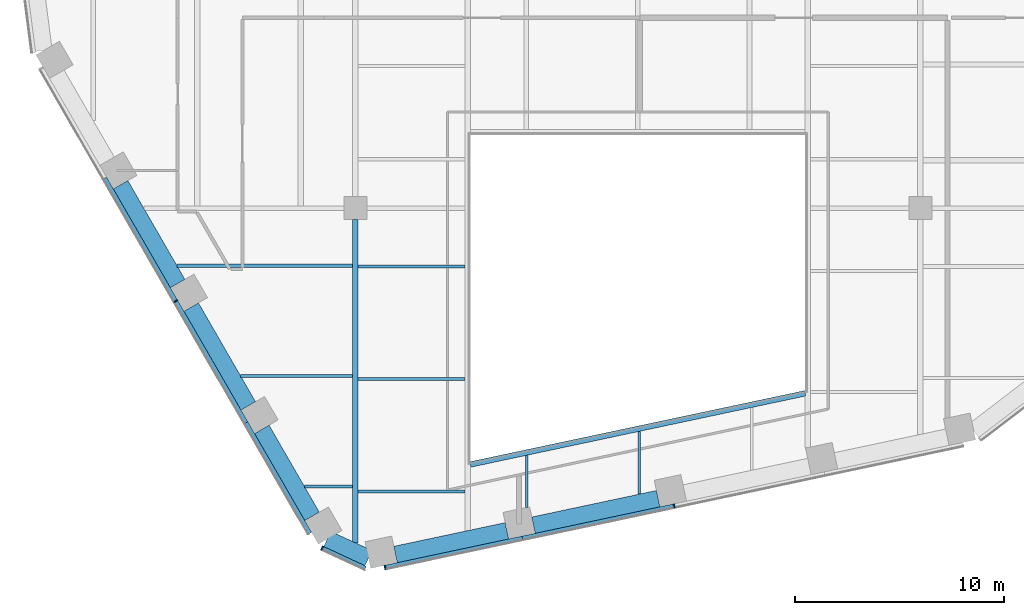
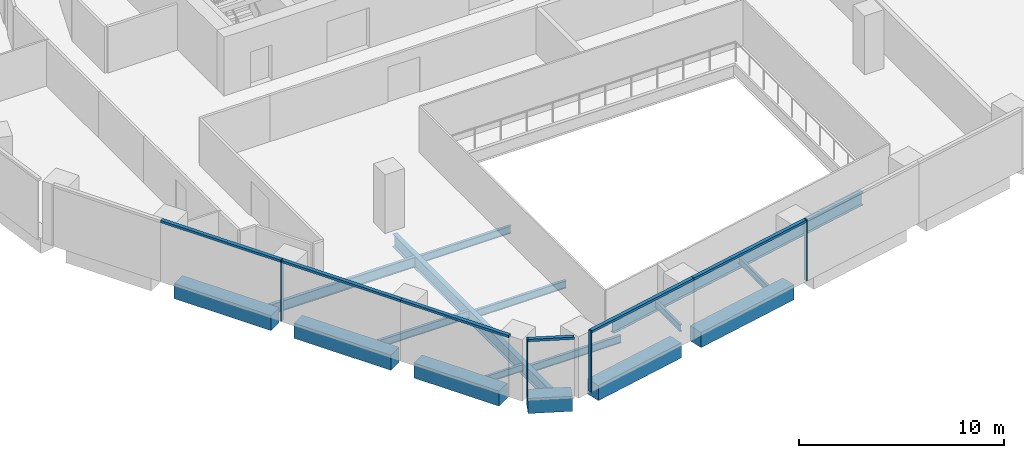
# One storey, part 2 of 16: 16 beams, 10 members, 3 elements without a shape of their own.
"""IFC4 building model written with IfcOpenShell, lengths in metres."""

from ifc_helpers import new_model, si_unit, direction, frame, origin, origin_2d, place, context, subcontext, project, spatial, rectangle, i_section, extrude, material, layer, layer_set, material_profile, profile_set, type_object, element, aggregate, save


model = new_model("IFC4")

# Units and contexts
model_context = context("Model", 3, precision=1e-05, world=origin(), true_north=direction((0.0, 1.0)))
body_context = subcontext(model_context, "Body", "Model", "MODEL_VIEW")
ifc_project = project(units=[si_unit("LENGTHUNIT", "METRE"), si_unit("AREAUNIT", "SQUARE_METRE"), si_unit("VOLUMEUNIT", "CUBIC_METRE"), si_unit("PLANEANGLEUNIT", "RADIAN"), si_unit("MASSUNIT", "GRAM", prefix="KILO")], contexts=[model_context])

# Site, building, storey
site_placement = place(None, origin())
site = spatial("IfcSite", under=ifc_project, at=site_placement, CompositionType="ELEMENT")
building_placement = place(site_placement, origin())
building = spatial("IfcBuilding", under=site, at=building_placement, Name="Isthmus Gate Tower", CompositionType="ELEMENT")
storey_placement = place(building_placement, frame((0.0, 0.0, 185.39990234375)))
storey = spatial("IfcBuildingStorey", under=building, at=storey_placement, Name="L46", CompositionType="ELEMENT", Elevation=185.39990234375)

# Curtain wall, member
ifc_material_1 = material(Name="Aluminium, pale champagne anodised", Category="aluminium")
ifc_layer = layer(ifc_material_1, 0.199951171875)
ifc_layer_set = layer_set([ifc_layer], Name="CW-1 UNITISED CURTAIN WALL 200 DEEP")
curtain_wall_type = type_object("IfcCurtainWallType", Name="CW-1 UNITISED CURTAIN WALL 200 DEEP", PredefinedType="NOTDEFINED", material=ifc_layer_set)
curtain_wall_1_placement = place(storey_placement, origin())
curtain_wall_1 = element("IfcCurtainWall", 1, at=curtain_wall_1_placement, inside=storey, type_object=curtain_wall_type, Name="CW-1 SW L46", PredefinedType="NOTDEFINED")
ifc_material_2 = material(Name="Aluminium, pale champagne anodised", Category="aluminium")
ifc_material_profile_1 = material_profile(ifc_material_2, rectangle(XDim=0.06005859375, YDim=0.199951171875, at=origin_2d()), Name="60x200")
ifc_profile_set_1 = profile_set([ifc_material_profile_1], Name="Aluminium, pale champagne anodised")
member_type_1 = type_object("IfcMemberType", Name="CW-1 MULLION 60 X 200", PredefinedType="MULLION", material=ifc_profile_set_1)
member_1_placement = place(storey_placement, frame((-22.08935546875, -17.93994140625, 0.0), z_axis=(0.0, 0.0, 1.0), x_axis=(0.5, -0.866025403784, 0.0)))
member_1 = element("IfcMember", 2, at=member_1_placement, type_object=member_type_1, Name="CW-1 mullion", PredefinedType="MULLION", context=body_context, shape_type="SweptSolid", body=[
    extrude(rectangle(XDim=0.06005859375, YDim=0.199951171875, at=origin_2d()), origin(), (0.0, 0.0, 1.0), 3.650146484375),
])

curtain_wall_2_placement = place(storey_placement, origin())
curtain_wall_2 = element("IfcCurtainWall", 3, at=curtain_wall_2_placement, inside=storey, type_object=curtain_wall_type, Name="CW-1 SW-S L46", PredefinedType="NOTDEFINED")
member_2_placement = place(storey_placement, frame((-15.091064453125, -29.74755859375, 0.0), z_axis=(0.0, 0.0, 1.0), x_axis=(0.907256261367, -0.420578264073, 0.0)))
member_2 = element("IfcMember", 4, at=member_2_placement, type_object=member_type_1, Name="CW-1 mullion", PredefinedType="MULLION", context=body_context, shape_type="SweptSolid", body=[
    extrude(rectangle(XDim=0.06005859375, YDim=0.199951171875, at=origin_2d()), origin(), (0.0, 0.0, 1.0), 3.650146484375),
])

# Curtain wall, members
curtain_wall_3_placement = place(storey_placement, origin())
curtain_wall_3 = element("IfcCurtainWall", 5, at=curtain_wall_3_placement, inside=storey, type_object=curtain_wall_type, Name="CW-1 S L46", PredefinedType="NOTDEFINED")
member_3_placement = place(storey_placement, frame((-12.082763671875, -30.67041015625, 0.0), z_axis=(0.0, 0.0, 1.0), x_axis=(0.978147600734, 0.207911690818, 0.0)))
member_3 = element("IfcMember", 6, at=member_3_placement, type_object=member_type_1, Name="CW-1 mullion", PredefinedType="MULLION", context=body_context, shape_type="SweptSolid", body=[
    extrude(rectangle(XDim=0.06005859375, YDim=0.199951171875, at=origin_2d()), origin(), (0.0, 0.0, 1.0), 3.650146484375),
])
member_4_placement = place(storey_placement, frame((1.740234375, -27.732421875, 0.0), z_axis=(0.0, 0.0, 1.0), x_axis=(0.978147600734, 0.207911690818, 0.0)))
member_4 = element("IfcMember", 7, at=member_4_placement, type_object=member_type_1, Name="CW-1 mullion", PredefinedType="MULLION", context=body_context, shape_type="SweptSolid", body=[
    extrude(rectangle(XDim=0.06005859375, YDim=0.199951171875, at=origin_2d()), origin(), (0.0, 0.0, 1.0), 3.650146484375),
])

# Member
ifc_material_3 = material(Name="Aluminium, pale champagne anodised", Category="aluminium")
ifc_material_profile_2 = material_profile(ifc_material_3, rectangle(XDim=0.199951171875, YDim=0.139892578125, at=origin_2d()), Name="200x140")
ifc_profile_set_2 = profile_set([ifc_material_profile_2], Name="Aluminium, pale champagne anodised")
member_type_2 = type_object("IfcMemberType", Name="CW-1 TRANSOM 200 X 140", PredefinedType="USERDEFINED", material=ifc_profile_set_2)
member_5_placement = place(storey_placement, frame((-25.4794921875, -12.068115234375, 3.580078125), z_axis=(0.49998230858, -0.86603561769, 0.0), x_axis=(0.86603561769, 0.49998230858, 0.0)))
member_5 = element("IfcMember", 8, at=member_5_placement, type_object=member_type_2, Name="CW-1 transom", ObjectType="TRANSOM", PredefinedType="USERDEFINED", context=body_context, shape_type="SweptSolid", body=[
    extrude(rectangle(XDim=0.199951171875, YDim=0.139892578125, at=origin_2d()), origin(), (0.0, 0.0, 1.0), 6.750244140625),
])

member_6_placement = place(storey_placement, frame((-22.074462890625, -17.9658203125, 3.580078125), z_axis=(0.499981482168, -0.866036094796, 0.0), x_axis=(0.866036094796, 0.499981482168, 0.0)))
member_6 = element("IfcMember", 9, at=member_6_placement, type_object=member_type_2, Name="CW-1 transom", ObjectType="TRANSOM", PredefinedType="USERDEFINED", context=body_context, shape_type="SweptSolid", body=[
    extrude(rectangle(XDim=0.199951171875, YDim=0.139892578125, at=origin_2d()), origin(), (0.0, 0.0, 1.0), 6.690185546875),
])

member_7_placement = place(storey_placement, frame((-18.7294921875, -23.759765625, 3.580078125), z_axis=(0.499991521122, -0.866030299012, 0.0), x_axis=(0.866030299012, 0.499991521122, 0.0)))
member_7 = element("IfcMember", 10, at=member_7_placement, type_object=member_type_2, Name="CW-1 transom", ObjectType="TRANSOM", PredefinedType="USERDEFINED", context=body_context, shape_type="SweptSolid", body=[
    extrude(rectangle(XDim=0.199951171875, YDim=0.139892578125, at=origin_2d()), origin(), (0.0, 0.0, 1.0), 6.10009765625),
])

aggregate(curtain_wall_1, [member_5, member_1, member_6, member_7])

member_8_placement = place(storey_placement, frame((-15.06396484375, -29.76025390625, 3.580078125), z_axis=(0.907246225564, -0.420599912268, 0.0), x_axis=(0.420599912268, 0.907246225564, 0.0)))
member_8 = element("IfcMember", 11, at=member_8_placement, type_object=member_type_2, Name="CW-1 transom", ObjectType="TRANSOM", PredefinedType="USERDEFINED", context=body_context, shape_type="SweptSolid", body=[
    extrude(rectangle(XDim=0.199951171875, YDim=0.139892578125, at=origin_2d()), origin(), (0.0, 0.0, 1.0), 2.258544921875),
])

aggregate(curtain_wall_2, [member_2, member_8])

member_9_placement = place(storey_placement, frame((-12.05322265625, -30.664306640625, 3.580078125), z_axis=(0.97814231579, 0.207936552972, 0.0), x_axis=(-0.207936552972, 0.97814231579, 0.0)))
member_9 = element("IfcMember", 12, at=member_9_placement, type_object=member_type_2, Name="CW-1 transom", ObjectType="TRANSOM", PredefinedType="USERDEFINED", context=body_context, shape_type="SweptSolid", body=[
    extrude(rectangle(XDim=0.199951171875, YDim=0.139892578125, at=origin_2d()), origin(), (0.0, 0.0, 1.0), 6.6806640625),
])

member_10_placement = place(storey_placement, frame((-5.5185546875, -29.275146484375, 3.580078125), z_axis=(0.978147683684, 0.207911300568, 0.0), x_axis=(-0.207911300568, 0.978147683684, 0.0)))
member_10 = element("IfcMember", 13, at=member_10_placement, type_object=member_type_2, Name="CW-1 transom", ObjectType="TRANSOM", PredefinedType="USERDEFINED", context=body_context, shape_type="SweptSolid", body=[
    extrude(rectangle(XDim=0.199951171875, YDim=0.139892578125, at=origin_2d()), origin(), (0.0, 0.0, 1.0), 7.390869140625),
])

aggregate(curtain_wall_3, [member_3, member_9, member_10, member_4])

# Beams
ifc_material_4 = material(Name="Concrete f'c 60 MPa", Category="concrete")
ifc_material_profile_3 = material_profile(ifc_material_4, rectangle(XDim=0.800048828125, YDim=0.89990234375, at=origin_2d()), Name="RC 800X900")
ifc_profile_set_3 = profile_set([ifc_material_profile_3], Name="Concrete f'c 60 MPa")
beam_type_1 = type_object("IfcBeamType", Name="RC SPANDREL 800 X 900", PredefinedType="SPANDREL", material=ifc_profile_set_3)
beam_1_placement = place(storey_placement, frame((0.970947265625, -27.384765625, -0.449951171875), z_axis=(-0.978146012851, -0.207919161079, 0.0), x_axis=(0.207919161079, -0.978146012851, 0.0)))
element("IfcBeam", 14, at=beam_1_placement, inside=storey, type_object=beam_type_1, Name="str-spandrel-L46-13", PredefinedType="SPANDREL", context=body_context, shape_type="SweptSolid", body=[
    extrude(rectangle(XDim=0.800048828125, YDim=0.89990234375, at=origin_2d()), origin(), (0.0, 0.0, 1.0), 6.090576171875),
])
beam_2_placement = place(storey_placement, frame((-6.25830078125, -28.92138671875, -0.449951171875), z_axis=(-0.978150410773, -0.207898470186, 0.0), x_axis=(0.207898470186, -0.978150410773, 0.0)))
element("IfcBeam", 15, at=beam_2_placement, inside=storey, type_object=beam_type_1, Name="str-spandrel-L46-14", PredefinedType="SPANDREL", context=body_context, shape_type="SweptSolid", body=[
    extrude(rectangle(XDim=0.800048828125, YDim=0.89990234375, at=origin_2d()), origin(), (0.0, 0.0, 1.0), 5.440673828125),
])
beam_3_placement = place(storey_placement, frame((-12.87255859375, -30.224853515625, -0.449951171875), z_axis=(-0.907290744498, 0.420503870314, 0.0), x_axis=(-0.420503870314, -0.907290744498, 0.0)))
element("IfcBeam", 16, at=beam_3_placement, inside=storey, type_object=beam_type_1, Name="str-spandrel-L46-15", PredefinedType="SPANDREL", context=body_context, shape_type="SweptSolid", body=[
    extrude(rectangle(XDim=0.800048828125, YDim=0.89990234375, at=origin_2d()), origin(), (0.0, 0.0, 1.0), 2.173095703125),
])
beam_4_placement = place(storey_placement, frame((-15.5712890625, -28.229736328125, -0.449951171875), z_axis=(-0.500017431331, 0.866015339567, 0.0), x_axis=(-0.866015339567, -0.500017431331, 0.0)))
element("IfcBeam", 17, at=beam_4_placement, inside=storey, type_object=beam_type_1, Name="str-spandrel-L46-16", PredefinedType="SPANDREL", context=body_context, shape_type="SweptSolid", body=[
    extrude(rectangle(XDim=0.800048828125, YDim=0.89990234375, at=origin_2d()), origin(), (0.0, 0.0, 1.0), 4.800048828125),
])
for number, where, z_axis, x_axis, name in (
    (18, (-18.621337890625, -22.94677734375, -0.449951171875), (-0.500002931134, 0.866023711487, 0.0), (-0.866023711487, -0.500002931134, 0.0), "str-spandrel-L46-17"),
    (19, (-21.996337890625, -17.10107421875, -0.449951171875), (-0.500002931134, 0.866023711487, 0.0), (-0.866023711487, -0.500002931134, 0.0), "str-spandrel-L46-18"),
):
    element("IfcBeam", number, at=place(storey_placement, frame(where, z_axis=z_axis, x_axis=x_axis)), inside=storey, type_object=beam_type_1, Name=name, PredefinedType="SPANDREL", context=body_context, shape_type="SweptSolid", body=[
        extrude(rectangle(XDim=0.800048828125, YDim=0.89990234375, at=origin_2d()), origin(), (0.0, 0.0, 1.0), 5.4501953125),
    ])
ifc_material_5 = material(Name="Structural steel ASTM A992 Gr 50", Category="steel")
ifc_material_profile_4 = material_profile(ifc_material_5, i_section(OverallWidth=0.1396484375, OverallDepth=0.4033203125, WebThickness=0.00634765625, FlangeThickness=0.010986328125, at=origin_2d()), Name="W16X31")
ifc_profile_set_4 = profile_set([ifc_material_profile_4], Name="Structural steel ASTM A992 Gr 50")
beam_type_2 = type_object("IfcBeamType", Name="STEEL FLOOR BEAM W16X31", PredefinedType="JOIST", material=ifc_profile_set_4)
beam_5_placement = place(storey_placement, frame((-15.937744140625, -26.795166015625, -0.3515625), z_axis=(1.0, 0.0, 0.0), x_axis=(0.0, 1.0, 0.0)))
element("IfcBeam", 20, at=beam_5_placement, inside=storey, type_object=beam_type_2, Name="str-beam-L46-02-00", PredefinedType="JOIST", context=body_context, shape_type="SweptSolid", body=[
    extrude(i_section(OverallWidth=0.1396484375, OverallDepth=0.4033203125, WebThickness=0.00634765625, FlangeThickness=0.010986328125, at=origin_2d()), origin(), (0.0, 0.0, 1.0), 2.304443359375),
])
beam_6_placement = place(storey_placement, frame((-5.311279296875, -27.7998046875, -0.3515625), z_axis=(0.0, 1.0, 0.0), x_axis=(-1.0, 0.0, 0.0)))
element("IfcBeam", 21, at=beam_6_placement, inside=storey, type_object=beam_type_2, Name="str-beam-L46-07-00", PredefinedType="JOIST", context=body_context, shape_type="SweptSolid", body=[
    extrude(i_section(OverallWidth=0.1396484375, OverallDepth=0.4033203125, WebThickness=0.00634765625, FlangeThickness=0.010986328125, at=origin_2d()), origin(), (0.0, 0.0, 1.0), 2.487548828125),
])
beam_7_placement = place(storey_placement, frame((0.06591796875, -27.168212890625, -0.3515625), z_axis=(0.0, 1.0, 0.0), x_axis=(-1.0, 0.0, 0.0)))
element("IfcBeam", 22, at=beam_7_placement, inside=storey, type_object=beam_type_2, Name="str-beam-L46-07-01", PredefinedType="JOIST", context=body_context, shape_type="SweptSolid", body=[
    extrude(i_section(OverallWidth=0.1396484375, OverallDepth=0.4033203125, WebThickness=0.00634765625, FlangeThickness=0.010986328125, at=origin_2d()), origin(), (0.0, 0.0, 1.0), 2.9990234375),
])
ifc_material_6 = material(Name="Structural steel ASTM A992 Gr 50", Category="steel")
ifc_material_profile_5 = material_profile(ifc_material_6, i_section(OverallWidth=0.15234375, OverallDepth=0.45068359375, WebThickness=0.0078125, FlangeThickness=0.010986328125, at=origin_2d()), Name="W18X35")
ifc_profile_set_5 = profile_set([ifc_material_profile_5], Name="Structural steel ASTM A992 Gr 50")
beam_type_3 = type_object("IfcBeamType", Name="STEEL FLOOR BEAM W18X35", PredefinedType="JOIST", material=ifc_profile_set_5)
beam_8_placement = place(storey_placement, frame((-18.981689453125, -21.52294921875, -0.375244140625), z_axis=(1.0, 0.0, 0.0), x_axis=(0.0, 1.0, 0.0)))
element("IfcBeam", 23, at=beam_8_placement, inside=storey, type_object=beam_type_3, Name="str-beam-L46-02-01", PredefinedType="JOIST", context=body_context, shape_type="SweptSolid", body=[
    extrude(i_section(OverallWidth=0.15234375, OverallDepth=0.45068359375, WebThickness=0.0078125, FlangeThickness=0.010986328125, at=origin_2d()), origin(), (0.0, 0.0, 1.0), 5.348388671875),
])
for number, where, z_axis, x_axis, name in (
    (24, (-13.36669921875, -27.04736328125, -0.375244140625), (1.0, 0.0, 0.0), (0.0, 1.0, 0.0), "str-beam-L46-03-00"),
    (25, (-13.36669921875, -21.67041015625, -0.375244140625), (1.0, 0.0, 0.0), (0.0, 1.0, 0.0), "str-beam-L46-03-01"),
    (26, (-13.36669921875, -16.293212890625, -0.375244140625), (1.0, 0.0, 0.0), (0.0, 1.0, 0.0), "str-beam-L46-03-02"),
):
    element("IfcBeam", number, at=place(storey_placement, frame(where, z_axis=z_axis, x_axis=x_axis)), inside=storey, type_object=beam_type_3, Name=name, PredefinedType="JOIST", context=body_context, shape_type="SweptSolid", body=[
        extrude(i_section(OverallWidth=0.15234375, OverallDepth=0.45068359375, WebThickness=0.0078125, FlangeThickness=0.010986328125, at=origin_2d()), origin(), (0.0, 0.0, 1.0), 5.10009765625),
    ])
ifc_material_7 = material(Name="Structural steel ASTM A992 Gr 50", Category="steel")
ifc_material_profile_6 = material_profile(ifc_material_7, i_section(OverallWidth=0.177734375, OverallDepth=0.60009765625, WebThickness=0.009521484375, FlangeThickness=0.0126953125, at=origin_2d()), Name="W24X55")
ifc_profile_set_6 = profile_set([ifc_material_profile_6], Name="Structural steel ASTM A992 Gr 50")
beam_type_4 = type_object("IfcBeamType", Name="STEEL FLOOR BEAM W24X55", PredefinedType="JOIST", material=ifc_profile_set_6)
beam_9_placement = place(storey_placement, frame((-22.025634765625, -16.25048828125, -0.449951171875), z_axis=(1.0, 0.0, 0.0), x_axis=(0.0, 1.0, 0.0)))
element("IfcBeam", 27, at=beam_9_placement, inside=storey, type_object=beam_type_4, Name="str-beam-L46-02-02", PredefinedType="JOIST", context=body_context, shape_type="SweptSolid", body=[
    extrude(i_section(OverallWidth=0.177734375, OverallDepth=0.60009765625, WebThickness=0.009521484375, FlangeThickness=0.0126953125, at=origin_2d()), origin(), (0.0, 0.0, 1.0), 8.392333984375),
])
ifc_material_8 = material(Name="Structural steel ASTM A992 Gr 50", Category="steel")
ifc_material_profile_7 = material_profile(ifc_material_8, i_section(OverallWidth=0.2666015625, OverallDepth=0.7587890625, WebThickness=0.014404296875, FlangeThickness=0.01904296875, at=origin_2d()), Name="W30X108")
ifc_profile_set_7 = profile_set([ifc_material_profile_7], Name="Structural steel ASTM A992 Gr 50")
beam_type_5 = type_object("IfcBeamType", Name="STEEL GIRDER W30X108", PredefinedType="BEAM", material=ifc_profile_set_7)
beam_10_placement = place(storey_placement, frame((-13.5, -29.4931640625, -0.529296875), z_axis=(0.0, 1.0, 0.0), x_axis=(-1.0, 0.0, 0.0)))
element("IfcBeam", 28, at=beam_10_placement, inside=storey, type_object=beam_type_5, Name="str-girder-L46-07", PredefinedType="BEAM", context=body_context, shape_type="SweptSolid", body=[
    extrude(i_section(OverallWidth=0.2666015625, OverallDepth=0.7587890625, WebThickness=0.014404296875, FlangeThickness=0.01904296875, at=origin_2d()), origin(), (0.0, 0.0, 1.0), 15.443115234375),
])
ifc_material_9 = material(Name="Structural steel ASTM A992 Gr 50", Category="steel")
ifc_material_profile_8 = material_profile(ifc_material_9, i_section(OverallWidth=0.2666015625, OverallDepth=0.7587890625, WebThickness=0.014404296875, FlangeThickness=0.01904296875, at=origin_2d()), Name="W30X108")
ifc_profile_set_8 = profile_set([ifc_material_profile_8], Name="Structural steel ASTM A992 Gr 50")
beam_type_6 = type_object("IfcBeamType", Name="STEEL TRIMMER W30X108", PredefinedType="BEAM", material=ifc_profile_set_8)
beam_11_placement = place(storey_placement, frame((-8.0, -25.747314453125, -0.529296875), z_axis=(0.978147924985, 0.20791016533, 0.0), x_axis=(-0.20791016533, 0.978147924985, 0.0)))
element("IfcBeam", 29, at=beam_11_placement, inside=storey, type_object=beam_type_6, Name="str-trimmer-L46-03", PredefinedType="BEAM", context=body_context, shape_type="SweptSolid", body=[
    extrude(i_section(OverallWidth=0.2666015625, OverallDepth=0.7587890625, WebThickness=0.014404296875, FlangeThickness=0.01904296875, at=origin_2d()), origin(), (0.0, 0.0, 1.0), 16.357421875),
])

save(model, "model.ifc")
